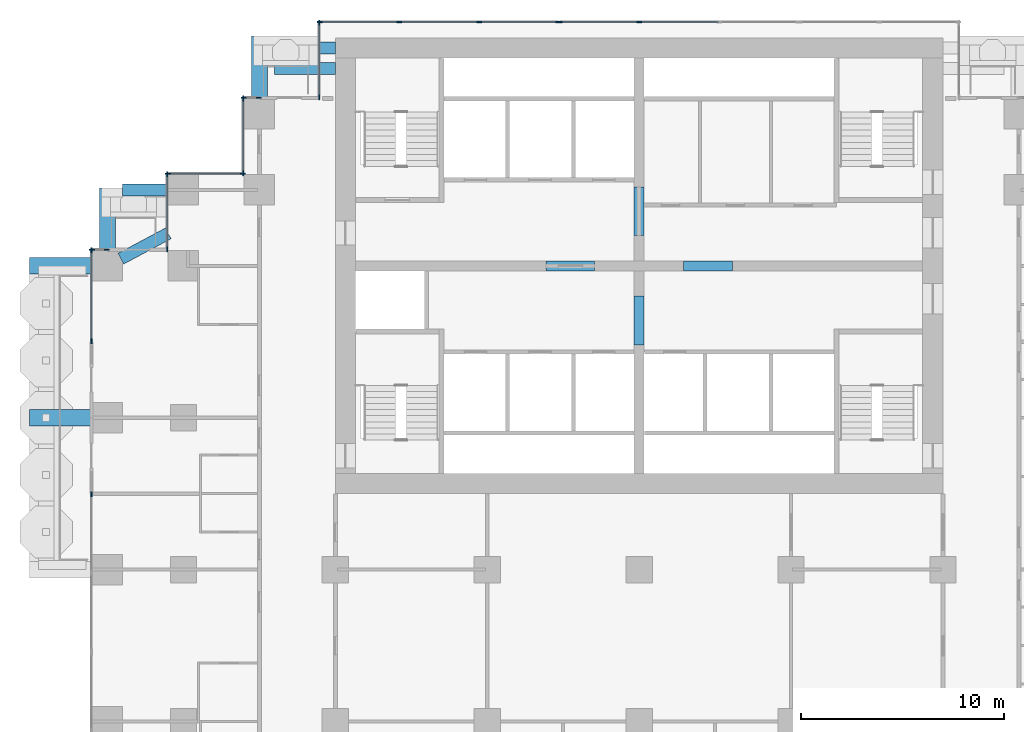
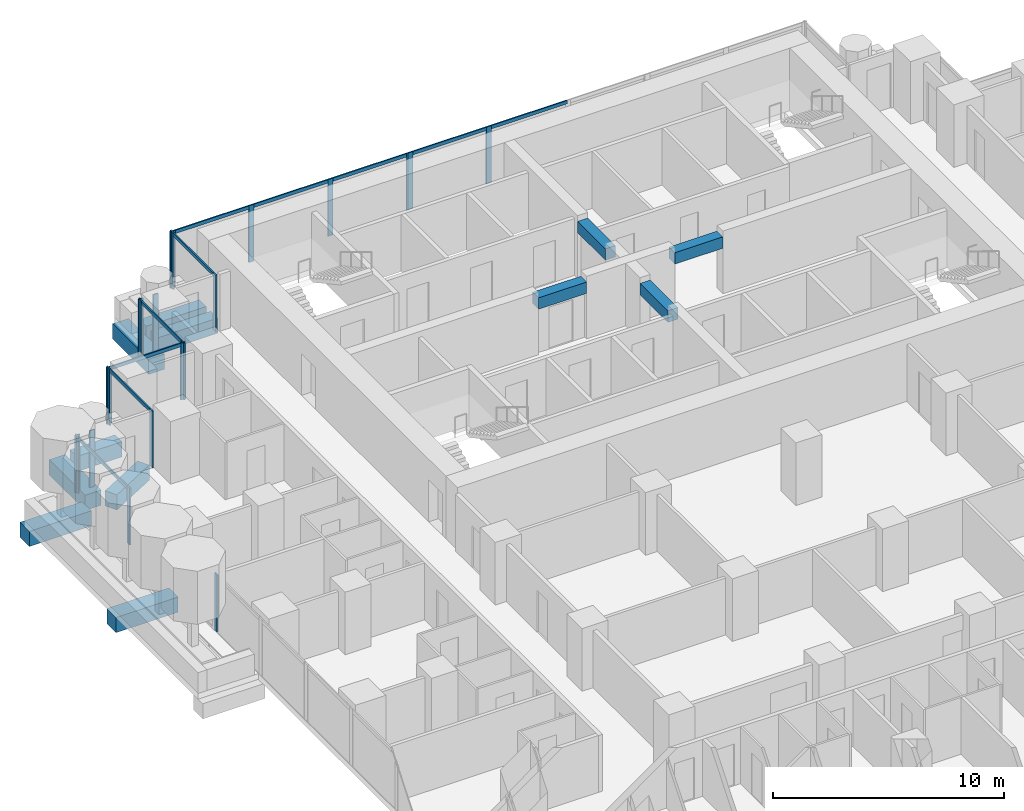
# One storey, part 5 of 19: 31 members, 12 beams, 10 elements without a shape of their own.
"""IFC4 building model written with IfcOpenShell, lengths in metres."""

from ifc_helpers import new_model, si_unit, direction, frame, origin, origin_2d, place, context, subcontext, project, spatial, rectangle, extrude, material, material_profile, profile_set, type_object, element, aggregate, save


model = new_model("IFC4")

# Units and contexts
model_context = context("Model", 3, precision=1e-05, world=origin(), true_north=direction((0.0, 1.0)))
body_context = subcontext(model_context, "Body", "Model", "MODEL_VIEW")
ifc_project = project(units=[si_unit("LENGTHUNIT", "METRE"), si_unit("AREAUNIT", "SQUARE_METRE"), si_unit("VOLUMEUNIT", "CUBIC_METRE"), si_unit("PLANEANGLEUNIT", "RADIAN"), si_unit("MASSUNIT", "GRAM", prefix="KILO")], contexts=[model_context])

# Site, building, storey
site_placement = place(None, origin())
site = spatial("IfcSite", under=ifc_project, at=site_placement, CompositionType="ELEMENT")
building_placement = place(site_placement, origin())
building = spatial("IfcBuilding", under=site, at=building_placement, Name="Pilkhan Gate Tower", CompositionType="ELEMENT")
storey_placement = place(building_placement, frame((0.0, 0.0, 95.60009765625)))
storey = spatial("IfcBuildingStorey", under=building, at=storey_placement, Name="L23", CompositionType="ELEMENT", Elevation=95.60009765625)

# Beams
ifc_material_1 = material(Name="Concrete C50/60", Category="concrete")
ifc_material_profile_1 = material_profile(ifc_material_1, rectangle(XDim=0.60009765625, YDim=0.800048828125, at=origin_2d()), Name="RC 600x800")
ifc_profile_set_1 = profile_set([ifc_material_profile_1], Name="Concrete C50/60")
beam_type_1 = type_object("IfcBeamType", Name="Cantilever beam CB1 RC 600x800 C50/60", PredefinedType="BEAM", material=ifc_profile_set_1)
for number, where, z_axis, x_axis, name in (
    (1, (60.0, 93.25, -0.7001953125), (-1.0, 0.0, 0.0), (0.0, -1.0, 0.0), "Balcony beam NW.2 L23"),
    (2, (60.0, 92.25, -0.7001953125), (-1.0, 0.0, 0.0), (0.0, -1.0, 0.0), "Balcony beam NW.3 L23"),
):
    element("IfcBeam", number, at=place(storey_placement, frame(where, z_axis=z_axis, x_axis=x_axis)), inside=storey, type_object=beam_type_1, Name=name, PredefinedType="BEAM", context=body_context, shape_type="SweptSolid", body=[
        extrude(rectangle(XDim=0.60009765625, YDim=0.800048828125, at=origin_2d()), origin(), (0.0, 0.0, 1.0), 3.0),
    ])
beam_1_placement = place(storey_placement, frame((51.75, 86.25, -0.7001953125), z_axis=(-1.0, 0.0, 0.0), x_axis=(0.0, -1.0, 0.0)))
element("IfcBeam", 3, at=beam_1_placement, inside=storey, type_object=beam_type_1, Name="Balcony beam NW2.2 L23", PredefinedType="BEAM", context=body_context, shape_type="SweptSolid", body=[
    extrude(rectangle(XDim=0.60009765625, YDim=0.800048828125, at=origin_2d()), origin(), (0.0, 0.0, 1.0), 2.25),
])
beam_2_placement = place(storey_placement, frame((49.411865234375, 82.85302734375, -0.7001953125), z_axis=(0.882342739565, 0.470607362817, 0.0), x_axis=(-0.470607362817, 0.882342739565, 0.0)))
element("IfcBeam", 4, at=beam_2_placement, inside=storey, type_object=beam_type_1, Name="Balcony beam NW2.3 L23", PredefinedType="BEAM", context=body_context, shape_type="SweptSolid", body=[
    extrude(rectangle(XDim=0.60009765625, YDim=0.800048828125, at=origin_2d()), origin(), (0.0, 0.0, 1.0), 2.64990234375),
])
ifc_material_profile_2 = material_profile(ifc_material_1, rectangle(XDim=0.800048828125, YDim=0.800048828125, at=origin_2d()), Name="RC 800x800")
ifc_profile_set_2 = profile_set([ifc_material_profile_2], Name="Concrete C50/60")
beam_type_2 = type_object("IfcBeamType", Name="Cantilever beam CB2 RC 800x800 C50/60", PredefinedType="BEAM", material=ifc_profile_set_2)
for number, where, z_axis, x_axis, name in (
    (5, (56.25, 90.75, -0.7001953125), (0.0, 1.0, 0.0), (-1.0, 0.0, 0.0), "Balcony beam NW.1 L23"),
    (6, (48.75, 83.25, -0.7001953125), (0.0, 1.0, 0.0), (-1.0, 0.0, 0.0), "Balcony beam NW2.1 L23"),
    (7, (48.0, 75.0, -0.7001953125), (-1.0, 0.0, 0.0), (0.0, -1.0, 0.0), "Balcony beam W.2 L23"),
    (8, (48.0, 82.5, -0.7001953125), (-1.0, 0.0, 0.0), (0.0, -1.0, 0.0), "Balcony beam W.3 L23"),
):
    element("IfcBeam", number, at=place(storey_placement, frame(where, z_axis=z_axis, x_axis=x_axis)), inside=storey, type_object=beam_type_2, Name=name, PredefinedType="BEAM", context=body_context, shape_type="SweptSolid", body=[
        extrude(rectangle(XDim=0.800048828125, YDim=0.800048828125, at=origin_2d()), origin(), (0.0, 0.0, 1.0), 3.10009765625),
    ])
ifc_material_2 = material(Name="Concrete C70/85", Category="concrete")
ifc_material_profile_3 = material_profile(ifc_material_2, rectangle(XDim=0.5, YDim=0.60009765625, at=origin_2d()), Name="RC 500x600")
ifc_profile_set_3 = profile_set([ifc_material_profile_3], Name="Concrete C70/85")
beam_type_3 = type_object("IfcBeamType", Name="Coupling beam CB60 RC 500x600 C70/85", PredefinedType="LINTEL", material=ifc_profile_set_3)
for number, where, z_axis, x_axis, name in (
    (9, (70.39990234375, 82.5, 2.699951171875), (1.0, 0.0, 0.0), (0.0, 1.0, 0.0), "Coupling beam 1 L23"),
    (10, (77.199951171875, 82.5, 2.699951171875), (1.0, 0.0, 0.0), (0.0, 1.0, 0.0), "Coupling beam 2 L23"),
):
    element("IfcBeam", number, at=place(storey_placement, frame(where, z_axis=z_axis, x_axis=x_axis)), inside=storey, type_object=beam_type_3, Name=name, PredefinedType="LINTEL", context=body_context, shape_type="SweptSolid", body=[
        extrude(rectangle(XDim=0.5, YDim=0.60009765625, at=origin_2d()), origin(), (0.0, 0.0, 1.0), 2.400146484375),
    ])
for number, where, z_axis, x_axis, name in (
    (11, (75.0, 78.60009765625, 2.699951171875), (0.0, 1.0, 0.0), (-1.0, 0.0, 0.0), "Coupling beam 3 L23"),
    (12, (75.0, 84.0, 2.699951171875), (0.0, 1.0, 0.0), (-1.0, 0.0, 0.0), "Coupling beam 4 L23"),
):
    element("IfcBeam", number, at=place(storey_placement, frame(where, z_axis=z_axis, x_axis=x_axis)), inside=storey, type_object=beam_type_3, Name=name, PredefinedType="LINTEL", context=body_context, shape_type="SweptSolid", body=[
        extrude(rectangle(XDim=0.5, YDim=0.60009765625, at=origin_2d()), origin(), (0.0, 0.0, 1.0), 2.39990234375),
    ])

# Curtain wall, members
ifc_material_3 = material(Name="Pale anodised aluminium, clear low-iron double glazing", Category="aluminium")
curtain_wall_type = type_object("IfcCurtainWallType", Name="Hotel unitised curtain wall CW-H", PredefinedType="USERDEFINED", material=ifc_material_3)
curtain_wall_1_placement = place(storey_placement, origin())
curtain_wall_1 = element("IfcCurtainWall", 13, at=curtain_wall_1_placement, inside=storey, type_object=curtain_wall_type, Name="Hotel unitised curtain wall CW-H L23 N", ObjectType="UNITISED CURTAIN WALL", PredefinedType="USERDEFINED")
ifc_material_4 = material(Name="Pale anodised aluminium", Category="aluminium")
ifc_material_profile_4 = material_profile(ifc_material_4, rectangle(XDim=0.06494140625, YDim=0.25, at=origin_2d()), Name="Mullion 250x65")
ifc_profile_set_4 = profile_set([ifc_material_profile_4], Name="Pale anodised aluminium")
member_type_1 = type_object("IfcMemberType", Name="Mullion CW-H 250x65", PredefinedType="MULLION", material=ifc_profile_set_4)
member_1_placement = place(storey_placement, frame((59.237548828125, 94.544921875, 0.0), z_axis=(0.0, 0.0, 1.0), x_axis=(0.0, 1.0, 0.0)))
member_1 = element("IfcMember", 14, at=member_1_placement, type_object=member_type_1, Name="CW-H mullion 1", PredefinedType="MULLION", context=body_context, shape_type="SweptSolid", body=[
    extrude(rectangle(XDim=0.06494140625, YDim=0.25, at=origin_2d()), origin(), (0.0, 0.0, 1.0), 3.0),
])
member_2_placement = place(storey_placement, frame((63.15380859375, 94.544921875, 0.0), z_axis=(0.0, 0.0, 1.0), x_axis=(0.0, 1.0, 0.0)))
member_2 = element("IfcMember", 15, at=member_2_placement, type_object=member_type_1, Name="CW-H mullion 2", PredefinedType="MULLION", context=body_context, shape_type="SweptSolid", body=[
    extrude(rectangle(XDim=0.06494140625, YDim=0.25, at=origin_2d()), origin(), (0.0, 0.0, 1.0), 3.0),
])
member_3_placement = place(storey_placement, frame((67.1025390625, 94.544921875, 0.0), z_axis=(0.0, 0.0, 1.0), x_axis=(0.0, 1.0, 0.0)))
member_3 = element("IfcMember", 16, at=member_3_placement, type_object=member_type_1, Name="CW-H mullion 3", PredefinedType="MULLION", context=body_context, shape_type="SweptSolid", body=[
    extrude(rectangle(XDim=0.06494140625, YDim=0.25, at=origin_2d()), origin(), (0.0, 0.0, 1.0), 3.0),
])
member_4_placement = place(storey_placement, frame((71.018798828125, 94.544921875, 0.0), z_axis=(0.0, 0.0, 1.0), x_axis=(0.0, 1.0, 0.0)))
member_4 = element("IfcMember", 17, at=member_4_placement, type_object=member_type_1, Name="CW-H mullion 4", PredefinedType="MULLION", context=body_context, shape_type="SweptSolid", body=[
    extrude(rectangle(XDim=0.06494140625, YDim=0.25, at=origin_2d()), origin(), (0.0, 0.0, 1.0), 3.0),
])

curtain_wall_2_placement = place(storey_placement, origin())
curtain_wall_2 = element("IfcCurtainWall", 18, at=curtain_wall_2_placement, inside=storey, type_object=curtain_wall_type, Name="Hotel unitised curtain wall CW-H L23 N", ObjectType="UNITISED CURTAIN WALL", PredefinedType="USERDEFINED")
member_5_placement = place(storey_placement, frame((71.083740234375, 94.544921875, 0.0), z_axis=(0.0, 0.0, 1.0), x_axis=(0.0, 1.0, 0.0)))
member_5 = element("IfcMember", 19, at=member_5_placement, type_object=member_type_1, Name="CW-H mullion 1", PredefinedType="MULLION", context=body_context, shape_type="SweptSolid", body=[
    extrude(rectangle(XDim=0.06494140625, YDim=0.25, at=origin_2d()), origin(), (0.0, 0.0, 1.0), 3.0),
])
member_6_placement = place(storey_placement, frame((75.0, 94.544921875, 0.0), z_axis=(0.0, 0.0, 1.0), x_axis=(0.0, 1.0, 0.0)))
member_6 = element("IfcMember", 20, at=member_6_placement, type_object=member_type_1, Name="CW-H mullion 2", PredefinedType="MULLION", context=body_context, shape_type="SweptSolid", body=[
    extrude(rectangle(XDim=0.06494140625, YDim=0.25, at=origin_2d()), origin(), (0.0, 0.0, 1.0), 3.0),
])

curtain_wall_3_placement = place(storey_placement, origin())
curtain_wall_3 = element("IfcCurtainWall", 21, at=curtain_wall_3_placement, inside=storey, type_object=curtain_wall_type, Name="Hotel unitised curtain wall CW-H L23 W", ObjectType="UNITISED CURTAIN WALL", PredefinedType="USERDEFINED")
member_7_placement = place(storey_placement, frame((59.205078125, 90.827392578125, 0.0), z_axis=(0.0, 0.0, 1.0), x_axis=(-1.0, 0.0, 0.0)))
member_7 = element("IfcMember", 22, at=member_7_placement, type_object=member_type_1, Name="CW-H mullion 1", PredefinedType="MULLION", context=body_context, shape_type="SweptSolid", body=[
    extrude(rectangle(XDim=0.06494140625, YDim=0.25, at=origin_2d()), origin(), (0.0, 0.0, 1.0), 3.0),
])
member_8_placement = place(storey_placement, frame((59.205078125, 94.512451171875, 0.0), z_axis=(0.0, 0.0, 1.0), x_axis=(-1.0, 0.0, 0.0)))
member_8 = element("IfcMember", 23, at=member_8_placement, type_object=member_type_1, Name="CW-H mullion 2", PredefinedType="MULLION", context=body_context, shape_type="SweptSolid", body=[
    extrude(rectangle(XDim=0.06494140625, YDim=0.25, at=origin_2d()), origin(), (0.0, 0.0, 1.0), 3.0),
])

curtain_wall_4_placement = place(storey_placement, origin())
curtain_wall_4 = element("IfcCurtainWall", 24, at=curtain_wall_4_placement, inside=storey, type_object=curtain_wall_type, Name="Hotel unitised curtain wall CW-H L23 N", ObjectType="UNITISED CURTAIN WALL", PredefinedType="USERDEFINED")
member_9_placement = place(storey_placement, frame((55.487548828125, 90.794921875, 0.0), z_axis=(0.0, 0.0, 1.0), x_axis=(0.0, 1.0, 0.0)))
member_9 = element("IfcMember", 25, at=member_9_placement, type_object=member_type_1, Name="CW-H mullion 1", PredefinedType="MULLION", context=body_context, shape_type="SweptSolid", body=[
    extrude(rectangle(XDim=0.06494140625, YDim=0.25, at=origin_2d()), origin(), (0.0, 0.0, 1.0), 3.0),
])
member_10_placement = place(storey_placement, frame((56.217529296875, 90.794921875, 0.0), z_axis=(0.0, 0.0, 1.0), x_axis=(0.0, 1.0, 0.0)))
member_10 = element("IfcMember", 26, at=member_10_placement, type_object=member_type_1, Name="CW-H mullion 2", PredefinedType="MULLION", context=body_context, shape_type="SweptSolid", body=[
    extrude(rectangle(XDim=0.06494140625, YDim=0.25, at=origin_2d()), origin(), (0.0, 0.0, 1.0), 3.0),
])
aggregate(curtain_wall_4, [member_9, member_10])

curtain_wall_5_placement = place(storey_placement, origin())
curtain_wall_5 = element("IfcCurtainWall", 27, at=curtain_wall_5_placement, inside=storey, type_object=curtain_wall_type, Name="Hotel unitised curtain wall CW-H L23 W", ObjectType="UNITISED CURTAIN WALL", PredefinedType="USERDEFINED")
member_11_placement = place(storey_placement, frame((55.455078125, 87.077392578125, 0.0), z_axis=(0.0, 0.0, 1.0), x_axis=(-1.0, 0.0, 0.0)))
member_11 = element("IfcMember", 28, at=member_11_placement, type_object=member_type_1, Name="CW-H mullion 1", PredefinedType="MULLION", context=body_context, shape_type="SweptSolid", body=[
    extrude(rectangle(XDim=0.06494140625, YDim=0.25, at=origin_2d()), origin(), (0.0, 0.0, 1.0), 3.0),
])
member_12_placement = place(storey_placement, frame((55.455078125, 90.762451171875, 0.0), z_axis=(0.0, 0.0, 1.0), x_axis=(-1.0, 0.0, 0.0)))
member_12 = element("IfcMember", 29, at=member_12_placement, type_object=member_type_1, Name="CW-H mullion 2", PredefinedType="MULLION", context=body_context, shape_type="SweptSolid", body=[
    extrude(rectangle(XDim=0.06494140625, YDim=0.25, at=origin_2d()), origin(), (0.0, 0.0, 1.0), 3.0),
])

curtain_wall_6_placement = place(storey_placement, origin())
curtain_wall_6 = element("IfcCurtainWall", 30, at=curtain_wall_6_placement, inside=storey, type_object=curtain_wall_type, Name="Hotel unitised curtain wall CW-H L23 N", ObjectType="UNITISED CURTAIN WALL", PredefinedType="USERDEFINED")
member_13_placement = place(storey_placement, frame((51.737548828125, 87.044921875, 0.0), z_axis=(0.0, 0.0, 1.0), x_axis=(0.0, 1.0, 0.0)))
member_13 = element("IfcMember", 31, at=member_13_placement, type_object=member_type_1, Name="CW-H mullion 1", PredefinedType="MULLION", context=body_context, shape_type="SweptSolid", body=[
    extrude(rectangle(XDim=0.06494140625, YDim=0.25, at=origin_2d()), origin(), (0.0, 0.0, 1.0), 3.0),
])
member_14_placement = place(storey_placement, frame((55.422607421875, 87.044921875, 0.0), z_axis=(0.0, 0.0, 1.0), x_axis=(0.0, 1.0, 0.0)))
member_14 = element("IfcMember", 32, at=member_14_placement, type_object=member_type_1, Name="CW-H mullion 2", PredefinedType="MULLION", context=body_context, shape_type="SweptSolid", body=[
    extrude(rectangle(XDim=0.06494140625, YDim=0.25, at=origin_2d()), origin(), (0.0, 0.0, 1.0), 3.0),
])

curtain_wall_7_placement = place(storey_placement, origin())
curtain_wall_7 = element("IfcCurtainWall", 33, at=curtain_wall_7_placement, inside=storey, type_object=curtain_wall_type, Name="Hotel unitised curtain wall CW-H L23 W", ObjectType="UNITISED CURTAIN WALL", PredefinedType="USERDEFINED")
member_15_placement = place(storey_placement, frame((51.705078125, 83.327392578125, 0.0), z_axis=(0.0, 0.0, 1.0), x_axis=(-1.0, 0.0, 0.0)))
member_15 = element("IfcMember", 34, at=member_15_placement, type_object=member_type_1, Name="CW-H mullion 1", PredefinedType="MULLION", context=body_context, shape_type="SweptSolid", body=[
    extrude(rectangle(XDim=0.06494140625, YDim=0.25, at=origin_2d()), origin(), (0.0, 0.0, 1.0), 3.0),
])
member_16_placement = place(storey_placement, frame((51.705078125, 87.012451171875, 0.0), z_axis=(0.0, 0.0, 1.0), x_axis=(-1.0, 0.0, 0.0)))
member_16 = element("IfcMember", 35, at=member_16_placement, type_object=member_type_1, Name="CW-H mullion 2", PredefinedType="MULLION", context=body_context, shape_type="SweptSolid", body=[
    extrude(rectangle(XDim=0.06494140625, YDim=0.25, at=origin_2d()), origin(), (0.0, 0.0, 1.0), 3.0),
])

curtain_wall_8_placement = place(storey_placement, origin())
curtain_wall_8 = element("IfcCurtainWall", 36, at=curtain_wall_8_placement, inside=storey, type_object=curtain_wall_type, Name="Hotel unitised curtain wall CW-H L23 N", ObjectType="UNITISED CURTAIN WALL", PredefinedType="USERDEFINED")
member_17_placement = place(storey_placement, frame((47.987548828125, 83.294921875, 0.0), z_axis=(0.0, 0.0, 1.0), x_axis=(0.0, 1.0, 0.0)))
member_17 = element("IfcMember", 37, at=member_17_placement, type_object=member_type_1, Name="CW-H mullion 1", PredefinedType="MULLION", context=body_context, shape_type="SweptSolid", body=[
    extrude(rectangle(XDim=0.06494140625, YDim=0.25, at=origin_2d()), origin(), (0.0, 0.0, 1.0), 3.0),
])
member_18_placement = place(storey_placement, frame((48.717529296875, 83.294921875, 0.0), z_axis=(0.0, 0.0, 1.0), x_axis=(0.0, 1.0, 0.0)))
member_18 = element("IfcMember", 38, at=member_18_placement, type_object=member_type_1, Name="CW-H mullion 2", PredefinedType="MULLION", context=body_context, shape_type="SweptSolid", body=[
    extrude(rectangle(XDim=0.06494140625, YDim=0.25, at=origin_2d()), origin(), (0.0, 0.0, 1.0), 3.0),
])
aggregate(curtain_wall_8, [member_17, member_18])

# Curtain wall, member
curtain_wall_9_placement = place(storey_placement, origin())
curtain_wall_9 = element("IfcCurtainWall", 39, at=curtain_wall_9_placement, inside=storey, type_object=curtain_wall_type, Name="Hotel unitised curtain wall CW-H L23 W", ObjectType="UNITISED CURTAIN WALL", PredefinedType="USERDEFINED")
member_19_placement = place(storey_placement, frame((47.955078125, 71.217529296875, 0.0), z_axis=(0.0, 0.0, 1.0), x_axis=(-1.0, 0.0, 0.0)))
member_19 = element("IfcMember", 40, at=member_19_placement, type_object=member_type_1, Name="CW-H mullion 3", PredefinedType="MULLION", context=body_context, shape_type="SweptSolid", body=[
    extrude(rectangle(XDim=0.06494140625, YDim=0.25, at=origin_2d()), origin(), (0.0, 0.0, 1.0), 3.0),
])
aggregate(curtain_wall_9, [member_19])

# Curtain wall, members
curtain_wall_10_placement = place(storey_placement, origin())
curtain_wall_10 = element("IfcCurtainWall", 41, at=curtain_wall_10_placement, inside=storey, type_object=curtain_wall_type, Name="Hotel unitised curtain wall CW-H L23 W", ObjectType="UNITISED CURTAIN WALL", PredefinedType="USERDEFINED")
member_20_placement = place(storey_placement, frame((47.955078125, 78.782470703125, 0.0), z_axis=(0.0, 0.0, 1.0), x_axis=(-1.0, 0.0, 0.0)))
member_20 = element("IfcMember", 42, at=member_20_placement, type_object=member_type_1, Name="CW-H mullion 1", PredefinedType="MULLION", context=body_context, shape_type="SweptSolid", body=[
    extrude(rectangle(XDim=0.06494140625, YDim=0.25, at=origin_2d()), origin(), (0.0, 0.0, 1.0), 3.0),
])
member_21_placement = place(storey_placement, frame((47.955078125, 83.262451171875, 0.0), z_axis=(0.0, 0.0, 1.0), x_axis=(-1.0, 0.0, 0.0)))
member_21 = element("IfcMember", 43, at=member_21_placement, type_object=member_type_1, Name="CW-H mullion 2", PredefinedType="MULLION", context=body_context, shape_type="SweptSolid", body=[
    extrude(rectangle(XDim=0.06494140625, YDim=0.25, at=origin_2d()), origin(), (0.0, 0.0, 1.0), 3.0),
])

# Member
ifc_material_profile_5 = material_profile(ifc_material_4, rectangle(XDim=0.06494140625, YDim=0.179931640625, at=origin_2d()), Name="Transom 180x65")
ifc_profile_set_5 = profile_set([ifc_material_profile_5], Name="Pale anodised aluminium")
member_type_2 = type_object("IfcMemberType", Name="Transom CW-H 180x65", PredefinedType="USERDEFINED", material=ifc_profile_set_5)
member_22_placement = place(storey_placement, frame((59.27001953125, 94.544921875, 2.909912109375), z_axis=(1.0, 0.0, 0.0), x_axis=(0.0, 1.0, 0.0)))
member_22 = element("IfcMember", 44, at=member_22_placement, type_object=member_type_2, Name="CW-H transom 1", ObjectType="TRANSOM", PredefinedType="USERDEFINED", context=body_context, shape_type="SweptSolid", body=[
    extrude(rectangle(XDim=0.06494140625, YDim=0.179931640625, at=origin_2d()), origin(), (0.0, 0.0, 1.0), 3.851318359375),
])

member_23_placement = place(storey_placement, frame((63.186279296875, 94.544921875, 2.909912109375), z_axis=(1.0, 0.0, 0.0), x_axis=(0.0, 1.0, 0.0)))
member_23 = element("IfcMember", 45, at=member_23_placement, type_object=member_type_2, Name="CW-H transom 2", ObjectType="TRANSOM", PredefinedType="USERDEFINED", context=body_context, shape_type="SweptSolid", body=[
    extrude(rectangle(XDim=0.06494140625, YDim=0.179931640625, at=origin_2d()), origin(), (0.0, 0.0, 1.0), 3.8837890625),
])

member_24_placement = place(storey_placement, frame((67.135009765625, 94.544921875, 2.909912109375), z_axis=(1.0, 0.0, 0.0), x_axis=(0.0, 1.0, 0.0)))
member_24 = element("IfcMember", 46, at=member_24_placement, type_object=member_type_2, Name="CW-H transom 3", ObjectType="TRANSOM", PredefinedType="USERDEFINED", context=body_context, shape_type="SweptSolid", body=[
    extrude(rectangle(XDim=0.06494140625, YDim=0.179931640625, at=origin_2d()), origin(), (0.0, 0.0, 1.0), 3.851318359375),
])

aggregate(curtain_wall_1, [member_1, member_2, member_3, member_4, member_22, member_23, member_24])

member_25_placement = place(storey_placement, frame((71.1162109375, 94.544921875, 2.909912109375), z_axis=(1.0, 0.0, 0.0), x_axis=(0.0, 1.0, 0.0)))
member_25 = element("IfcMember", 47, at=member_25_placement, type_object=member_type_2, Name="CW-H transom 1", ObjectType="TRANSOM", PredefinedType="USERDEFINED", context=body_context, shape_type="SweptSolid", body=[
    extrude(rectangle(XDim=0.06494140625, YDim=0.179931640625, at=origin_2d()), origin(), (0.0, 0.0, 1.0), 3.851318359375),
])

member_26_placement = place(storey_placement, frame((75.032470703125, 94.544921875, 2.909912109375), z_axis=(1.0, 0.0, 0.0), x_axis=(0.0, 1.0, 0.0)))
member_26 = element("IfcMember", 48, at=member_26_placement, type_object=member_type_2, Name="CW-H transom 2", ObjectType="TRANSOM", PredefinedType="USERDEFINED", context=body_context, shape_type="SweptSolid", body=[
    extrude(rectangle(XDim=0.06494140625, YDim=0.179931640625, at=origin_2d()), origin(), (0.0, 0.0, 1.0), 3.8837890625),
])

aggregate(curtain_wall_2, [member_5, member_6, member_25, member_26])

member_27_placement = place(storey_placement, frame((59.205078125, 90.860107421875, 2.909912109375), z_axis=(0.0, 1.0, 0.0), x_axis=(-1.0, 0.0, 0.0)))
member_27 = element("IfcMember", 49, at=member_27_placement, type_object=member_type_2, Name="CW-H transom 1", ObjectType="TRANSOM", PredefinedType="USERDEFINED", context=body_context, shape_type="SweptSolid", body=[
    extrude(rectangle(XDim=0.06494140625, YDim=0.179931640625, at=origin_2d()), origin(), (0.0, 0.0, 1.0), 3.619873046875),
])

aggregate(curtain_wall_3, [member_7, member_8, member_27])

member_28_placement = place(storey_placement, frame((55.455078125, 87.110107421875, 2.909912109375), z_axis=(0.0, 1.0, 0.0), x_axis=(-1.0, 0.0, 0.0)))
member_28 = element("IfcMember", 50, at=member_28_placement, type_object=member_type_2, Name="CW-H transom 1", ObjectType="TRANSOM", PredefinedType="USERDEFINED", context=body_context, shape_type="SweptSolid", body=[
    extrude(rectangle(XDim=0.06494140625, YDim=0.179931640625, at=origin_2d()), origin(), (0.0, 0.0, 1.0), 3.619873046875),
])

aggregate(curtain_wall_5, [member_11, member_12, member_28])

member_29_placement = place(storey_placement, frame((51.77001953125, 87.044921875, 2.909912109375), z_axis=(1.0, 0.0, 0.0), x_axis=(0.0, 1.0, 0.0)))
member_29 = element("IfcMember", 51, at=member_29_placement, type_object=member_type_2, Name="CW-H transom 1", ObjectType="TRANSOM", PredefinedType="USERDEFINED", context=body_context, shape_type="SweptSolid", body=[
    extrude(rectangle(XDim=0.06494140625, YDim=0.179931640625, at=origin_2d()), origin(), (0.0, 0.0, 1.0), 3.619873046875),
])

aggregate(curtain_wall_6, [member_13, member_14, member_29])

member_30_placement = place(storey_placement, frame((51.705078125, 83.360107421875, 2.909912109375), z_axis=(0.0, 1.0, 0.0), x_axis=(-1.0, 0.0, 0.0)))
member_30 = element("IfcMember", 52, at=member_30_placement, type_object=member_type_2, Name="CW-H transom 1", ObjectType="TRANSOM", PredefinedType="USERDEFINED", context=body_context, shape_type="SweptSolid", body=[
    extrude(rectangle(XDim=0.06494140625, YDim=0.179931640625, at=origin_2d()), origin(), (0.0, 0.0, 1.0), 3.619873046875),
])

aggregate(curtain_wall_7, [member_15, member_16, member_30])

member_31_placement = place(storey_placement, frame((47.955078125, 78.81494140625, 2.909912109375), z_axis=(0.0, 1.0, 0.0), x_axis=(-1.0, 0.0, 0.0)))
member_31 = element("IfcMember", 53, at=member_31_placement, type_object=member_type_2, Name="CW-H transom 1", ObjectType="TRANSOM", PredefinedType="USERDEFINED", context=body_context, shape_type="SweptSolid", body=[
    extrude(rectangle(XDim=0.06494140625, YDim=0.179931640625, at=origin_2d()), origin(), (0.0, 0.0, 1.0), 4.4150390625),
])

aggregate(curtain_wall_10, [member_20, member_21, member_31])

save(model, "model.ifc")
